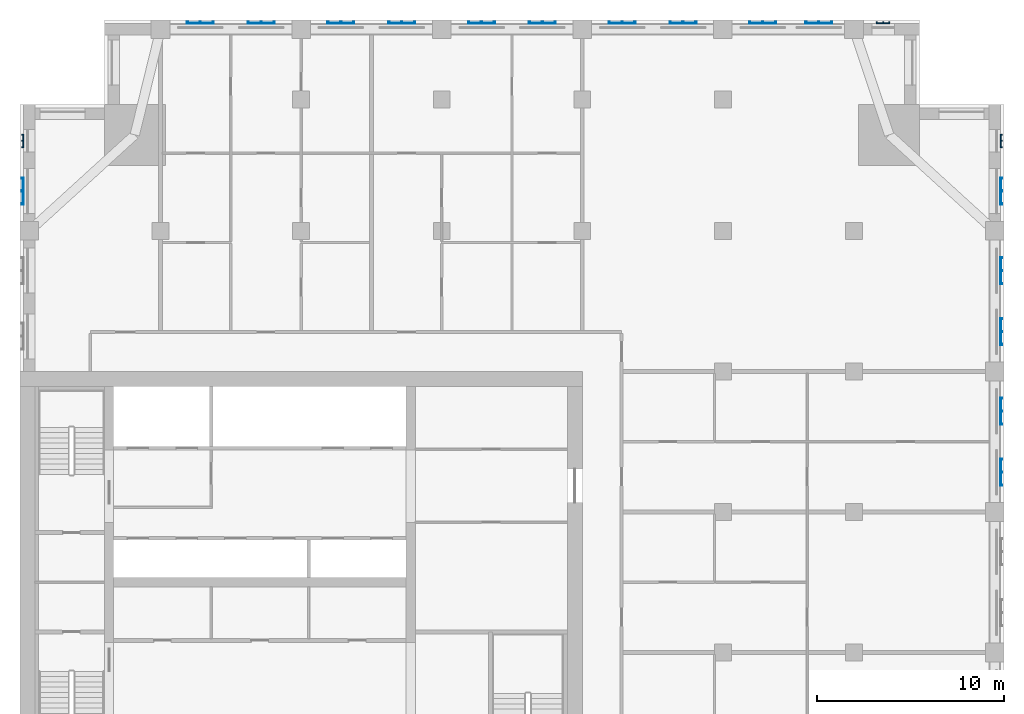
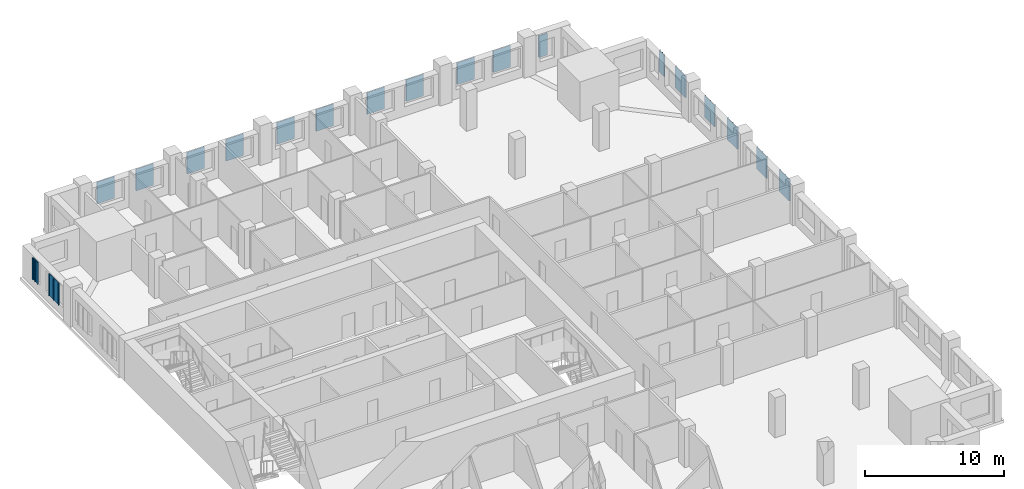
# One storey, part 5 of 14: 19 plates.
"""IFC4 building model written with IfcOpenShell, lengths in metres."""

import ifcopenshell
import ifcopenshell.guid

model = None  # the IFC model being written
_history = None  # IfcOwnerHistory: only IFC2X3 demands one
_inside = {}  # id of a spatial element -> (the spatial element, [elements in it])
_under = {}  # id of a project, library or spatial element -> (it, [spatial elements below it])
_declared = {}  # id of a project -> (the project, [libraries it declares])
_typed = {}  # id of a type object -> (the type object, [elements of that type])
_made_of = {}  # id of a material, layer set ... -> (it, [elements and type objects made of it])


def new_model(schema):
    """Start an empty IFC model of exactly this schema.

    Asked for "IFC4X3", IfcOpenShell would pick the latest addendum, in which some entities
    have other attributes; the version numbers below select the first issue.
    IFC2X3 requires an IfcOwnerHistory on every rooted entity: one is made here for all.
    """
    global model, _history
    if schema == "IFC4X3":
        model = ifcopenshell.file(schema_version=(4, 3, 0, 0))
    else:
        model = ifcopenshell.file(schema=schema)
    _inside.clear()
    _under.clear()
    _declared.clear()
    _typed.clear()
    _made_of.clear()
    _history = None
    if model.schema == "IFC2X3":
        org = make("IfcOrganization", Name="unknown")
        user = make(
            "IfcPersonAndOrganization",
            ThePerson=make("IfcPerson", FamilyName="unknown"),
            TheOrganization=org,
        )
        app = make(
            "IfcApplication",
            ApplicationDeveloper=org,
            Version="unknown",
            ApplicationFullName="unknown",
            ApplicationIdentifier="unknown",
        )
        _history = make(
            "IfcOwnerHistory",
            OwningUser=user,
            OwningApplication=app,
            ChangeAction="ADDED",
            CreationDate=0,
        )
    return model


def make(cls, **values):
    """One entity of the class cls with the attributes given. An attribute that is None is left unset."""
    return model.create_entity(
        cls, **{name: value for name, value in values.items() if value is not None}
    )


def rooted(cls, **values):
    """An entity with a GlobalId (a new one), such as an element, a storey or a relation."""
    return make(cls, GlobalId=ifcopenshell.guid.new(), OwnerHistory=_history, **values)


def si_unit(unit_type, name, prefix=None):
    """IfcSIUnit, for example si_unit("LENGTHUNIT", "METRE", prefix="MILLI")."""
    return make("IfcSIUnit", UnitType=unit_type, Prefix=prefix, Name=name)


def assignment(units):
    """IfcUnitAssignment: the units of a project."""
    return None if units is None else make("IfcUnitAssignment", Units=units)


def point(xyz):
    """IfcCartesianPoint."""
    return None if xyz is None else make("IfcCartesianPoint", Coordinates=xyz)


def direction(xyz):
    """IfcDirection."""
    return None if xyz is None else make("IfcDirection", DirectionRatios=xyz)


def frame(location, z_axis=None, x_axis=None):
    """IfcAxis2Placement3D, a coordinate frame: its origin and axes. An axis left out is left unset."""
    return make(
        "IfcAxis2Placement3D",
        Location=point(location),
        Axis=direction(z_axis),
        RefDirection=direction(x_axis),
    )


def origin():
    """The frame at (0, 0, 0) with its axes left unset."""
    return frame((0.0, 0.0, 0.0))


def place(relative_to, where):
    """IfcLocalPlacement: puts the frame where relative to a parent placement (None: the world)."""
    return make(
        "IfcLocalPlacement", PlacementRelTo=relative_to, RelativePlacement=where
    )


def context(
    kind, dimensions, precision=None, world=None, true_north=None, identifier=None
):
    """IfcGeometricRepresentationContext, for example the 3D "Model" context."""
    return make(
        "IfcGeometricRepresentationContext",
        ContextIdentifier=identifier,
        ContextType=kind,
        CoordinateSpaceDimension=dimensions,
        Precision=precision,
        WorldCoordinateSystem=world,
        TrueNorth=true_north,
    )


def subcontext(parent, identifier, kind, view, scale=None):
    """IfcGeometricRepresentationSubContext, for example "Body" below "Model"."""
    return make(
        "IfcGeometricRepresentationSubContext",
        ContextIdentifier=identifier,
        ContextType=kind,
        ParentContext=parent,
        TargetScale=scale,
        TargetView=view,
    )


def project(units=None, contexts=None):
    """IfcProject with its units and contexts."""
    return rooted(
        "IfcProject",
        Name="project",
        RepresentationContexts=contexts,
        UnitsInContext=assignment(units),
    )


def spatial(cls, under=None, at=None, **own):
    """A site, building, storey or space (cls), placed at a placement, below another one or the project."""
    s = rooted(cls, ObjectPlacement=at, **own)
    if under is not None:
        _under.setdefault(under.id(), (under, []))[1].append(s)
    return s


def polyline(points):
    """IfcPolyline through the points."""
    return make("IfcPolyline", Points=[point(p) for p in points])


def outline(outer, holes=None, kind="AREA"):
    """IfcArbitraryClosedProfileDef: a profile drawn as a closed curve; with holes, ...WithVoids."""
    if holes is None:
        return make("IfcArbitraryClosedProfileDef", ProfileType=kind, OuterCurve=outer)
    return make(
        "IfcArbitraryProfileDefWithVoids",
        ProfileType=kind,
        OuterCurve=outer,
        InnerCurves=holes,
    )


def extrude(swept, where, along, depth):
    """IfcExtrudedAreaSolid: the profile swept, set in the frame where, extruded along a direction by depth."""
    return make(
        "IfcExtrudedAreaSolid",
        SweptArea=swept,
        Position=where,
        ExtrudedDirection=direction(along),
        Depth=depth,
    )


def shape(context_of_items, identifier, shape_type, items):
    """IfcShapeRepresentation: the items that make up one representation, for example the "Body"."""
    return make(
        "IfcShapeRepresentation",
        ContextOfItems=context_of_items,
        RepresentationIdentifier=identifier,
        RepresentationType=shape_type,
        Items=items,
    )


def material(Name=None, Category=None):
    """IfcMaterial."""
    return make("IfcMaterial", Name=Name, Category=Category)


def layer(
    of_material, thickness, ventilated=None, Name=None, Category=None, Priority=None
):
    """IfcMaterialLayer: one layer of a wall or slab, of a material (None: an air gap)."""
    return make(
        "IfcMaterialLayer",
        Material=of_material,
        LayerThickness=thickness,
        IsVentilated=ventilated,
        Name=Name,
        Category=Category,
        Priority=Priority,
    )


def layer_set(layers, Name=None):
    """IfcMaterialLayerSet."""
    return make("IfcMaterialLayerSet", MaterialLayers=layers, LayerSetName=Name)


def made_of(thing, what):
    """Note that an element or type object is made of a material, layer set ...; save() writes the relation."""
    if what is not None:
        _made_of.setdefault(what.id(), (what, []))[1].append(thing)
    return thing


def type_object(cls, material=None, **own):
    """A type object (cls), such as IfcWallType, which elements share."""
    return made_of(rooted(cls, **own), material)


def element(
    cls,
    number,
    at=None,
    inside=None,
    cuts=None,
    type_object=None,
    material=None,
    context=None,
    identifier="Body",
    shape_type=None,
    held_by="IfcProductDefinitionShape",
    body=None,
    shapes=None,
    **own,
):
    """One element of the class cls, such as IfcWall. Its Tag is "e" and its number.

    at: its placement. inside: the storey or other place that contains it. cuts: it is an
    opening in that element (IfcRelVoidsElement). A single representation is given by context,
    identifier, shape_type and body (its items); several are given by shapes. held_by: the class
    of the entity that holds the representations. save() writes the other relations.
    """
    e = rooted(cls, Tag="e%d" % number, ObjectPlacement=at, **own)
    if body is not None:
        shapes = [shape(context, identifier, shape_type, body)]
    if shapes is not None:
        e.Representation = make(held_by, Representations=shapes)
    if inside is not None:
        _inside.setdefault(inside.id(), (inside, []))[1].append(e)
    if cuts is not None:
        rooted(
            "IfcRelVoidsElement", RelatingBuildingElement=cuts, RelatedOpeningElement=e
        )
    if type_object is not None:
        _typed.setdefault(type_object.id(), (type_object, []))[1].append(e)
    return made_of(e, material)


def aggregate(whole, parts):
    """IfcRelAggregates: a whole, such as a stair, and the parts it consists of."""
    return rooted("IfcRelAggregates", RelatingObject=whole, RelatedObjects=parts)


def save(model, path):
    """Write the relations noted so far, then the file.

    IfcRelAggregates (storeys below a building ...), IfcRelContainedInSpatialStructure (elements
    in a storey), IfcRelDefinesByType, IfcRelAssociatesMaterial and IfcRelDeclares: one each for
    every whole, place, type object, material and project.
    """
    for whole, parts in _under.values():
        aggregate(whole, parts)
    for where, things in _inside.values():
        rooted(
            "IfcRelContainedInSpatialStructure",
            RelatedElements=things,
            RelatingStructure=where,
        )
    for kind, things in _typed.values():
        rooted("IfcRelDefinesByType", RelatedObjects=things, RelatingType=kind)
    for what, things in _made_of.values():
        rooted("IfcRelAssociatesMaterial", RelatedObjects=things, RelatingMaterial=what)
    for by, libraries in _declared.values():
        rooted("IfcRelDeclares", RelatingContext=by, RelatedDefinitions=libraries)
    model.write(path)


model = new_model("IFC4")

# Units and contexts
model_context = context("Model", 3, precision=1e-05, world=origin(), true_north=direction((0.0, 1.0)))
body_context = subcontext(model_context, "Body", "Model", "MODEL_VIEW")
ifc_project = project(units=[si_unit("LENGTHUNIT", "METRE"), si_unit("AREAUNIT", "SQUARE_METRE"), si_unit("VOLUMEUNIT", "CUBIC_METRE"), si_unit("PLANEANGLEUNIT", "RADIAN"), si_unit("MASSUNIT", "GRAM", prefix="KILO")], contexts=[model_context])

# Site, building, storey
site_placement = place(None, origin())
site = spatial("IfcSite", under=ifc_project, at=site_placement, CompositionType="ELEMENT")
building_placement = place(site_placement, origin())
building = spatial("IfcBuilding", under=site, at=building_placement, Name="Tamorin Gate", CompositionType="ELEMENT")
storey_placement = place(building_placement, frame((0.0, 0.0, 196.699951171875)))
storey = spatial("IfcBuildingStorey", under=building, at=storey_placement, Name="L48", CompositionType="ELEMENT", Elevation=196.699951171875)

# Plates
ifc_material = material(Name="Perforated pale aluminium sheet", Category="aluminium")
ifc_layer_1 = layer(ifc_material, 0.0400390625)
ifc_layer_set_1 = layer_set([ifc_layer_1], Name="Pale metal solar screen 1440")
plate_type_1 = type_object("IfcPlateType", Name="Pale metal solar screen 1440", PredefinedType="SHEET", material=ifc_layer_set_1)
plate_1_placement = place(storey_placement, frame((0.0, 0.0, 0.737548828125)))
element("IfcPlate", 1, at=plate_1_placement, inside=storey, type_object=plate_type_1, Name="Perforated solar screen", PredefinedType="SHEET", context=body_context, shape_type="SweptSolid", body=[
    extrude(outline(polyline([(82.340087890625, 76.405029296875), (82.300048828125, 76.405029296875), (82.300048828125, 76.465087890625), (82.300048828125, 77.094970703125), (82.300048828125, 77.155029296875), (82.300048828125, 77.784912109375), (82.300048828125, 77.844970703125), (82.340087890625, 77.844970703125), (82.39990234375, 77.844970703125), (82.39990234375, 77.784912109375), (82.340087890625, 77.784912109375), (82.340087890625, 77.155029296875), (82.39990234375, 77.155029296875), (82.39990234375, 77.094970703125), (82.340087890625, 77.094970703125), (82.340087890625, 76.465087890625), (82.39990234375, 76.465087890625), (82.39990234375, 76.405029296875), (82.340087890625, 76.405029296875)])), origin(), (0.0, 0.0, 1.0), 1.925048828125),
])
plate_2_placement = place(storey_placement, frame((0.0, 0.0, 0.737548828125)))
element("IfcPlate", 2, at=plate_2_placement, inside=storey, type_object=plate_type_1, Name="Perforated solar screen", PredefinedType="SHEET", context=body_context, shape_type="SweptSolid", body=[
    extrude(outline(polyline([(82.340087890625, 79.655029296875), (82.300048828125, 79.655029296875), (82.300048828125, 79.715087890625), (82.300048828125, 80.344970703125), (82.300048828125, 80.405029296875), (82.300048828125, 81.034912109375), (82.300048828125, 81.094970703125), (82.340087890625, 81.094970703125), (82.39990234375, 81.094970703125), (82.39990234375, 81.034912109375), (82.340087890625, 81.034912109375), (82.340087890625, 80.405029296875), (82.39990234375, 80.405029296875), (82.39990234375, 80.344970703125), (82.340087890625, 80.344970703125), (82.340087890625, 79.715087890625), (82.39990234375, 79.715087890625), (82.39990234375, 79.655029296875), (82.340087890625, 79.655029296875)])), origin(), (0.0, 0.0, 1.0), 1.925048828125),
])
plate_3_placement = place(storey_placement, frame((0.0, 0.0, 0.737548828125)))
element("IfcPlate", 3, at=plate_3_placement, inside=storey, type_object=plate_type_1, Name="Perforated solar screen", PredefinedType="SHEET", context=body_context, shape_type="SweptSolid", body=[
    extrude(outline(polyline([(82.340087890625, 83.905029296875), (82.300048828125, 83.905029296875), (82.300048828125, 83.965087890625), (82.300048828125, 84.594970703125), (82.300048828125, 84.655029296875), (82.300048828125, 85.284912109375), (82.300048828125, 85.344970703125), (82.340087890625, 85.344970703125), (82.39990234375, 85.344970703125), (82.39990234375, 85.284912109375), (82.340087890625, 85.284912109375), (82.340087890625, 84.655029296875), (82.39990234375, 84.655029296875), (82.39990234375, 84.594970703125), (82.340087890625, 84.594970703125), (82.340087890625, 83.965087890625), (82.39990234375, 83.965087890625), (82.39990234375, 83.905029296875), (82.340087890625, 83.905029296875)])), origin(), (0.0, 0.0, 1.0), 1.925048828125),
])
plate_4_placement = place(storey_placement, frame((0.0, 0.0, 0.737548828125)))
element("IfcPlate", 4, at=plate_4_placement, inside=storey, type_object=plate_type_1, Name="Perforated solar screen", PredefinedType="SHEET", context=body_context, shape_type="SweptSolid", body=[
    extrude(outline(polyline([(82.340087890625, 87.155029296875), (82.300048828125, 87.155029296875), (82.300048828125, 87.215087890625), (82.300048828125, 87.844970703125), (82.300048828125, 87.905029296875), (82.300048828125, 88.534912109375), (82.300048828125, 88.594970703125), (82.340087890625, 88.594970703125), (82.39990234375, 88.594970703125), (82.39990234375, 88.534912109375), (82.340087890625, 88.534912109375), (82.340087890625, 87.905029296875), (82.39990234375, 87.905029296875), (82.39990234375, 87.844970703125), (82.340087890625, 87.844970703125), (82.340087890625, 87.215087890625), (82.39990234375, 87.215087890625), (82.39990234375, 87.155029296875), (82.340087890625, 87.155029296875)])), origin(), (0.0, 0.0, 1.0), 1.925048828125),
])
plate_5_placement = place(storey_placement, frame((0.0, 0.0, 0.737548828125)))
element("IfcPlate", 5, at=plate_5_placement, inside=storey, type_object=plate_type_1, Name="Perforated solar screen", PredefinedType="SHEET", context=body_context, shape_type="SweptSolid", body=[
    extrude(outline(polyline([(82.340087890625, 91.405029296875), (82.300048828125, 91.405029296875), (82.300048828125, 91.465087890625), (82.300048828125, 92.094970703125), (82.300048828125, 92.155029296875), (82.300048828125, 92.784912109375), (82.300048828125, 92.844970703125), (82.340087890625, 92.844970703125), (82.39990234375, 92.844970703125), (82.39990234375, 92.784912109375), (82.340087890625, 92.784912109375), (82.340087890625, 92.155029296875), (82.39990234375, 92.155029296875), (82.39990234375, 92.094970703125), (82.340087890625, 92.094970703125), (82.340087890625, 91.465087890625), (82.39990234375, 91.465087890625), (82.39990234375, 91.405029296875), (82.340087890625, 91.405029296875)])), origin(), (0.0, 0.0, 1.0), 1.925048828125),
])
plate_6_placement = place(storey_placement, frame((0.0, 0.0, 0.737548828125)))
element("IfcPlate", 6, at=plate_6_placement, inside=storey, type_object=plate_type_1, Name="Perforated solar screen", PredefinedType="SHEET", context=body_context, shape_type="SweptSolid", body=[
    extrude(outline(polyline([(70.344970703125, 101.090087890625), (70.344970703125, 101.050048828125), (70.284912109375, 101.050048828125), (69.655029296875, 101.050048828125), (69.594970703125, 101.050048828125), (68.965087890625, 101.050048828125), (68.905029296875, 101.050048828125), (68.905029296875, 101.090087890625), (68.905029296875, 101.14990234375), (68.965087890625, 101.14990234375), (68.965087890625, 101.090087890625), (69.594970703125, 101.090087890625), (69.594970703125, 101.14990234375), (69.655029296875, 101.14990234375), (69.655029296875, 101.090087890625), (70.284912109375, 101.090087890625), (70.284912109375, 101.14990234375), (70.344970703125, 101.14990234375), (70.344970703125, 101.090087890625)])), origin(), (0.0, 0.0, 1.0), 1.925048828125),
])
plate_7_placement = place(storey_placement, frame((0.0, 0.0, 0.737548828125)))
element("IfcPlate", 7, at=plate_7_placement, inside=storey, type_object=plate_type_1, Name="Perforated solar screen", PredefinedType="SHEET", context=body_context, shape_type="SweptSolid", body=[
    extrude(outline(polyline([(73.344970703125, 101.090087890625), (73.344970703125, 101.050048828125), (73.284912109375, 101.050048828125), (72.655029296875, 101.050048828125), (72.594970703125, 101.050048828125), (71.965087890625, 101.050048828125), (71.905029296875, 101.050048828125), (71.905029296875, 101.050048828125), (71.905029296875, 101.090087890625), (71.905029296875, 101.090087890625), (71.905029296875, 101.14990234375), (71.965087890625, 101.14990234375), (71.965087890625, 101.090087890625), (72.594970703125, 101.090087890625), (72.594970703125, 101.14990234375), (72.655029296875, 101.14990234375), (72.655029296875, 101.090087890625), (73.284912109375, 101.090087890625), (73.284912109375, 101.14990234375), (73.344970703125, 101.14990234375), (73.344970703125, 101.090087890625)])), origin(), (0.0, 0.0, 1.0), 1.925048828125),
])
plate_8_placement = place(storey_placement, frame((0.0, 0.0, 0.737548828125)))
element("IfcPlate", 8, at=plate_8_placement, inside=storey, type_object=plate_type_1, Name="Perforated solar screen", PredefinedType="SHEET", context=body_context, shape_type="SweptSolid", body=[
    extrude(outline(polyline([(62.844970703125, 101.090087890625), (62.844970703125, 101.050048828125), (62.784912109375, 101.050048828125), (62.155029296875, 101.050048828125), (62.094970703125, 101.050048828125), (61.465087890625, 101.050048828125), (61.405029296875, 101.050048828125), (61.405029296875, 101.090087890625), (61.405029296875, 101.14990234375), (61.465087890625, 101.14990234375), (61.465087890625, 101.090087890625), (62.094970703125, 101.090087890625), (62.094970703125, 101.14990234375), (62.155029296875, 101.14990234375), (62.155029296875, 101.090087890625), (62.784912109375, 101.090087890625), (62.784912109375, 101.14990234375), (62.844970703125, 101.14990234375), (62.844970703125, 101.090087890625)])), origin(), (0.0, 0.0, 1.0), 1.925048828125),
])
plate_9_placement = place(storey_placement, frame((0.0, 0.0, 0.737548828125)))
element("IfcPlate", 9, at=plate_9_placement, inside=storey, type_object=plate_type_1, Name="Perforated solar screen", PredefinedType="SHEET", context=body_context, shape_type="SweptSolid", body=[
    extrude(outline(polyline([(66.094970703125, 101.090087890625), (66.094970703125, 101.050048828125), (66.034912109375, 101.050048828125), (65.405029296875, 101.050048828125), (65.344970703125, 101.050048828125), (64.715087890625, 101.050048828125), (64.655029296875, 101.050048828125), (64.655029296875, 101.090087890625), (64.655029296875, 101.14990234375), (64.715087890625, 101.14990234375), (64.715087890625, 101.090087890625), (65.344970703125, 101.090087890625), (65.344970703125, 101.14990234375), (65.405029296875, 101.14990234375), (65.405029296875, 101.090087890625), (66.034912109375, 101.090087890625), (66.034912109375, 101.14990234375), (66.094970703125, 101.14990234375), (66.094970703125, 101.090087890625)])), origin(), (0.0, 0.0, 1.0), 1.925048828125),
])
plate_10_placement = place(storey_placement, frame((0.0, 0.0, 0.737548828125)))
element("IfcPlate", 10, at=plate_10_placement, inside=storey, type_object=plate_type_1, Name="Perforated solar screen", PredefinedType="SHEET", context=body_context, shape_type="SweptSolid", body=[
    extrude(outline(polyline([(55.344970703125, 101.090087890625), (55.344970703125, 101.050048828125), (55.284912109375, 101.050048828125), (54.655029296875, 101.050048828125), (54.594970703125, 101.050048828125), (53.965087890625, 101.050048828125), (53.905029296875, 101.050048828125), (53.905029296875, 101.090087890625), (53.905029296875, 101.14990234375), (53.965087890625, 101.14990234375), (53.965087890625, 101.090087890625), (54.594970703125, 101.090087890625), (54.594970703125, 101.14990234375), (54.655029296875, 101.14990234375), (54.655029296875, 101.090087890625), (55.284912109375, 101.090087890625), (55.284912109375, 101.14990234375), (55.344970703125, 101.14990234375), (55.344970703125, 101.090087890625)])), origin(), (0.0, 0.0, 1.0), 1.925048828125),
])
plate_11_placement = place(storey_placement, frame((0.0, 0.0, 0.737548828125)))
element("IfcPlate", 11, at=plate_11_placement, inside=storey, type_object=plate_type_1, Name="Perforated solar screen", PredefinedType="SHEET", context=body_context, shape_type="SweptSolid", body=[
    extrude(outline(polyline([(58.594970703125, 101.090087890625), (58.594970703125, 101.050048828125), (58.534912109375, 101.050048828125), (57.905029296875, 101.050048828125), (57.844970703125, 101.050048828125), (57.215087890625, 101.050048828125), (57.155029296875, 101.050048828125), (57.155029296875, 101.090087890625), (57.155029296875, 101.14990234375), (57.215087890625, 101.14990234375), (57.215087890625, 101.090087890625), (57.844970703125, 101.090087890625), (57.844970703125, 101.14990234375), (57.905029296875, 101.14990234375), (57.905029296875, 101.090087890625), (58.534912109375, 101.090087890625), (58.534912109375, 101.14990234375), (58.594970703125, 101.14990234375), (58.594970703125, 101.090087890625)])), origin(), (0.0, 0.0, 1.0), 1.925048828125),
])
plate_12_placement = place(storey_placement, frame((0.0, 0.0, 0.737548828125)))
element("IfcPlate", 12, at=plate_12_placement, inside=storey, type_object=plate_type_1, Name="Perforated solar screen", PredefinedType="SHEET", context=body_context, shape_type="SweptSolid", body=[
    extrude(outline(polyline([(47.844970703125, 101.090087890625), (47.844970703125, 101.050048828125), (47.784912109375, 101.050048828125), (47.155029296875, 101.050048828125), (47.094970703125, 101.050048828125), (46.465087890625, 101.050048828125), (46.405029296875, 101.050048828125), (46.405029296875, 101.090087890625), (46.405029296875, 101.14990234375), (46.465087890625, 101.14990234375), (46.465087890625, 101.090087890625), (47.094970703125, 101.090087890625), (47.094970703125, 101.14990234375), (47.155029296875, 101.14990234375), (47.155029296875, 101.090087890625), (47.784912109375, 101.090087890625), (47.784912109375, 101.14990234375), (47.844970703125, 101.14990234375), (47.844970703125, 101.090087890625)])), origin(), (0.0, 0.0, 1.0), 1.925048828125),
])
plate_13_placement = place(storey_placement, frame((0.0, 0.0, 0.737548828125)))
element("IfcPlate", 13, at=plate_13_placement, inside=storey, type_object=plate_type_1, Name="Perforated solar screen", PredefinedType="SHEET", context=body_context, shape_type="SweptSolid", body=[
    extrude(outline(polyline([(51.094970703125, 101.090087890625), (51.094970703125, 101.050048828125), (51.034912109375, 101.050048828125), (50.405029296875, 101.050048828125), (50.344970703125, 101.050048828125), (49.715087890625, 101.050048828125), (49.655029296875, 101.050048828125), (49.655029296875, 101.090087890625), (49.655029296875, 101.14990234375), (49.715087890625, 101.14990234375), (49.715087890625, 101.090087890625), (50.344970703125, 101.090087890625), (50.344970703125, 101.14990234375), (50.405029296875, 101.14990234375), (50.405029296875, 101.090087890625), (51.034912109375, 101.090087890625), (51.034912109375, 101.14990234375), (51.094970703125, 101.14990234375), (51.094970703125, 101.090087890625)])), origin(), (0.0, 0.0, 1.0), 1.925048828125),
])
plate_14_placement = place(storey_placement, frame((0.0, 0.0, 0.737548828125)))
element("IfcPlate", 14, at=plate_14_placement, inside=storey, type_object=plate_type_1, Name="Perforated solar screen", PredefinedType="SHEET", context=body_context, shape_type="SweptSolid", body=[
    extrude(outline(polyline([(40.344970703125, 101.090087890625), (40.344970703125, 101.050048828125), (40.284912109375, 101.050048828125), (39.655029296875, 101.050048828125), (39.594970703125, 101.050048828125), (38.965087890625, 101.050048828125), (38.905029296875, 101.050048828125), (38.905029296875, 101.090087890625), (38.905029296875, 101.14990234375), (38.965087890625, 101.14990234375), (38.965087890625, 101.090087890625), (39.594970703125, 101.090087890625), (39.594970703125, 101.14990234375), (39.655029296875, 101.14990234375), (39.655029296875, 101.090087890625), (40.284912109375, 101.090087890625), (40.284912109375, 101.14990234375), (40.344970703125, 101.14990234375), (40.344970703125, 101.090087890625)])), origin(), (0.0, 0.0, 1.0), 1.925048828125),
])
plate_15_placement = place(storey_placement, frame((0.0, 0.0, 0.737548828125)))
element("IfcPlate", 15, at=plate_15_placement, inside=storey, type_object=plate_type_1, Name="Perforated solar screen", PredefinedType="SHEET", context=body_context, shape_type="SweptSolid", body=[
    extrude(outline(polyline([(43.594970703125, 101.090087890625), (43.594970703125, 101.050048828125), (43.534912109375, 101.050048828125), (42.905029296875, 101.050048828125), (42.844970703125, 101.050048828125), (42.215087890625, 101.050048828125), (42.155029296875, 101.050048828125), (42.155029296875, 101.090087890625), (42.155029296875, 101.14990234375), (42.215087890625, 101.14990234375), (42.215087890625, 101.090087890625), (42.844970703125, 101.090087890625), (42.844970703125, 101.14990234375), (42.905029296875, 101.14990234375), (42.905029296875, 101.090087890625), (43.534912109375, 101.090087890625), (43.534912109375, 101.14990234375), (43.594970703125, 101.14990234375), (43.594970703125, 101.090087890625)])), origin(), (0.0, 0.0, 1.0), 1.925048828125),
])
plate_16_placement = place(storey_placement, frame((0.0, 0.0, 0.737548828125)))
element("IfcPlate", 16, at=plate_16_placement, inside=storey, type_object=plate_type_1, Name="Perforated solar screen", PredefinedType="SHEET", context=body_context, shape_type="SweptSolid", body=[
    extrude(outline(polyline([(30.159912109375, 92.844970703125), (30.199951171875, 92.844970703125), (30.199951171875, 92.784912109375), (30.199951171875, 92.155029296875), (30.199951171875, 92.094970703125), (30.199951171875, 91.465087890625), (30.199951171875, 91.405029296875), (30.199951171875, 91.405029296875), (30.159912109375, 91.405029296875), (30.159912109375, 91.405029296875), (30.10009765625, 91.405029296875), (30.10009765625, 91.465087890625), (30.159912109375, 91.465087890625), (30.159912109375, 92.094970703125), (30.10009765625, 92.094970703125), (30.10009765625, 92.155029296875), (30.159912109375, 92.155029296875), (30.159912109375, 92.784912109375), (30.10009765625, 92.784912109375), (30.10009765625, 92.844970703125), (30.159912109375, 92.844970703125)])), origin(), (0.0, 0.0, 1.0), 1.925048828125),
])
ifc_layer_2 = layer(ifc_material, 0.0400390625)
ifc_layer_set_2 = layer_set([ifc_layer_2], Name="Pale metal solar screen 720")
plate_type_2 = type_object("IfcPlateType", Name="Pale metal solar screen 720", PredefinedType="SHEET", material=ifc_layer_set_2)
plate_17_placement = place(storey_placement, frame((0.0, 0.0, 0.737548828125)))
element("IfcPlate", 17, at=plate_17_placement, inside=storey, type_object=plate_type_2, Name="Perforated solar screen", PredefinedType="SHEET", context=body_context, shape_type="SweptSolid", body=[
    extrude(outline(polyline([(82.340087890625, 94.43994140625), (82.300048828125, 94.43994140625), (82.300048828125, 94.5), (82.300048828125, 94.77001953125), (82.300048828125, 94.830078125), (82.300048828125, 95.10009765625), (82.300048828125, 95.159912109375), (82.340087890625, 95.159912109375), (82.39990234375, 95.159912109375), (82.39990234375, 95.10009765625), (82.340087890625, 95.10009765625), (82.340087890625, 94.830078125), (82.39990234375, 94.830078125), (82.39990234375, 94.77001953125), (82.340087890625, 94.77001953125), (82.340087890625, 94.5), (82.39990234375, 94.5), (82.39990234375, 94.43994140625), (82.340087890625, 94.43994140625)])), origin(), (0.0, 0.0, 1.0), 1.925048828125),
])
plate_18_placement = place(storey_placement, frame((0.0, 0.0, 0.737548828125)))
element("IfcPlate", 18, at=plate_18_placement, inside=storey, type_object=plate_type_2, Name="Perforated solar screen", PredefinedType="SHEET", context=body_context, shape_type="SweptSolid", body=[
    extrude(outline(polyline([(76.409912109375, 101.090087890625), (76.409912109375, 101.050048828125), (76.35009765625, 101.050048828125), (76.080078125, 101.050048828125), (76.02001953125, 101.050048828125), (75.75, 101.050048828125), (75.68994140625, 101.050048828125), (75.68994140625, 101.090087890625), (75.68994140625, 101.14990234375), (75.75, 101.14990234375), (75.75, 101.090087890625), (76.02001953125, 101.090087890625), (76.02001953125, 101.14990234375), (76.080078125, 101.14990234375), (76.080078125, 101.090087890625), (76.35009765625, 101.090087890625), (76.35009765625, 101.14990234375), (76.409912109375, 101.14990234375), (76.409912109375, 101.090087890625)])), origin(), (0.0, 0.0, 1.0), 1.925048828125),
])
plate_19_placement = place(storey_placement, frame((0.0, 0.0, 0.737548828125)))
element("IfcPlate", 19, at=plate_19_placement, inside=storey, type_object=plate_type_2, Name="Perforated solar screen", PredefinedType="SHEET", context=body_context, shape_type="SweptSolid", body=[
    extrude(outline(polyline([(30.159912109375, 95.159912109375), (30.199951171875, 95.159912109375), (30.199951171875, 95.10009765625), (30.199951171875, 94.830078125), (30.199951171875, 94.77001953125), (30.199951171875, 94.5), (30.199951171875, 94.43994140625), (30.159912109375, 94.43994140625), (30.10009765625, 94.43994140625), (30.10009765625, 94.5), (30.159912109375, 94.5), (30.159912109375, 94.77001953125), (30.10009765625, 94.77001953125), (30.10009765625, 94.830078125), (30.159912109375, 94.830078125), (30.159912109375, 95.10009765625), (30.10009765625, 95.10009765625), (30.10009765625, 95.159912109375), (30.159912109375, 95.159912109375)])), origin(), (0.0, 0.0, 1.0), 1.925048828125),
])

save(model, "model.ifc")
